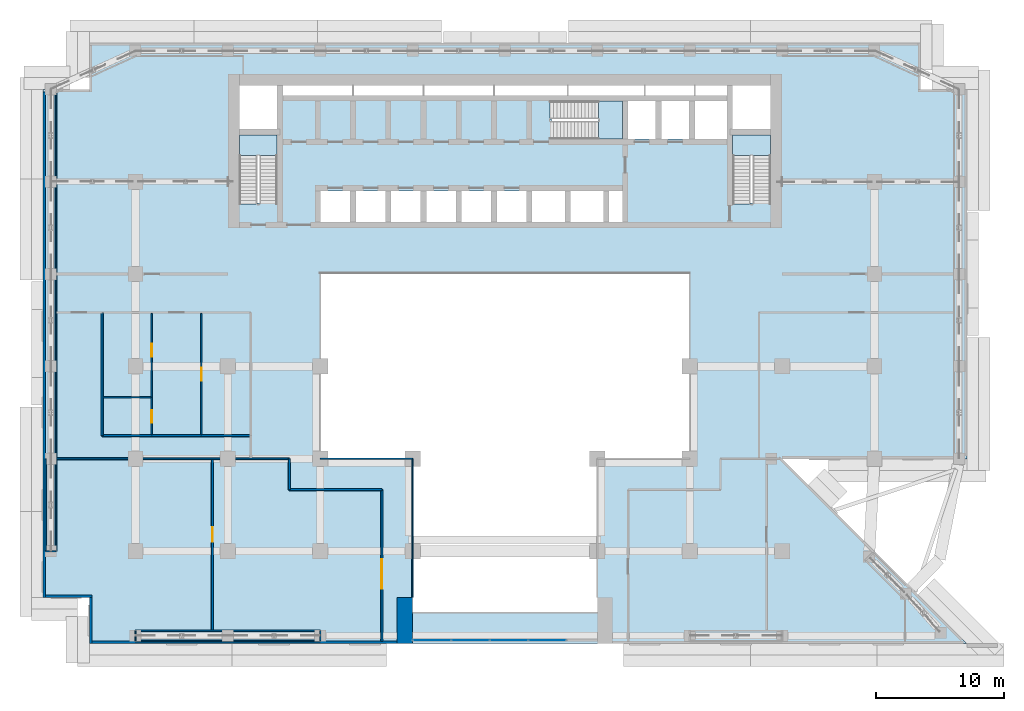
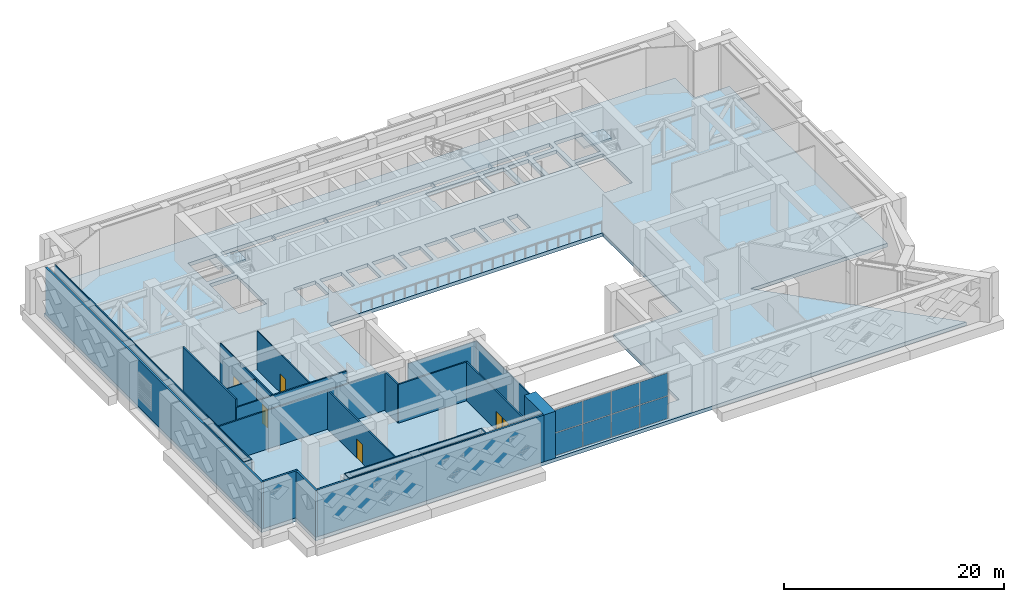
# One storey, part 8 of 19: 24 walls, 8 plates, 6 doors, 4 slabs, 6 openings, 4 elements without a shape of their own.
"""IFC4 building model written with IfcOpenShell, lengths in metres."""

from ifc_helpers import new_model, si_unit, direction, frame, frame_2d, origin, origin_2d, place, context, subcontext, project, spatial, polyline, rectangle, outline, extrude, source, transform, mapped, material, layer, layer_set, type_object, element, fill, aggregate, save


model = new_model("IFC4")

# Units and contexts
model_context = context("Model", 3, precision=1e-05, world=origin(), true_north=direction((0.0, 1.0)))
body_context = subcontext(model_context, "Body", "Model", "MODEL_VIEW")
ifc_project = project(units=[si_unit("LENGTHUNIT", "METRE"), si_unit("AREAUNIT", "SQUARE_METRE"), si_unit("VOLUMEUNIT", "CUBIC_METRE"), si_unit("PLANEANGLEUNIT", "RADIAN"), si_unit("MASSUNIT", "GRAM", prefix="KILO")], contexts=[model_context])

# Site, building, storey
site_placement = place(None, origin())
site = spatial("IfcSite", under=ifc_project, at=site_placement, CompositionType="ELEMENT")
building_placement = place(site_placement, origin())
building = spatial("IfcBuilding", under=site, at=building_placement, Name="Saffron Iwan Residences", CompositionType="ELEMENT")
storey_placement = place(building_placement, frame((0.0, 0.0, 107.5)))
storey = spatial("IfcBuildingStorey", under=building, at=storey_placement, Name="L28", CompositionType="ELEMENT", Elevation=107.5)

# Slab
ifc_material_1 = material(Name="Concrete C40/50", Category="concrete")
ifc_layer_1 = layer(ifc_material_1, 0.39990234375)
ifc_layer_set_1 = layer_set([ifc_layer_1], Name="Concrete C40/50")
slab_type_1 = type_object("IfcSlabType", Name="PT PLATE 400 C40/50", PredefinedType="FLOOR", material=ifc_layer_set_1)
slab_1_placement = place(storey_placement, frame((0.0, 0.0, -0.400146484375)))
element("IfcSlab", 1, at=slab_1_placement, inside=storey, type_object=slab_type_1, Name="Floor slab L28", PredefinedType="FLOOR", context=body_context, shape_type="SweptSolid", body=[
    extrude(outline(polyline([(14.39990234375, 37.199951171875), (14.39990234375, 76.800048828125), (18.0, 76.800048828125), (18.0, 80.39990234375), (82.800048828125, 80.39990234375), (82.800048828125, 76.800048828125), (86.39990234375, 76.800048828125), (86.39990234375, 48.0), (72.0, 48.0), (86.39990234375, 33.60009765625), (18.0, 33.60009765625), (18.0, 37.199951171875), (14.39990234375, 37.199951171875)]), holes=[polyline([(64.800048828125, 48.0), (64.800048828125, 62.39990234375), (36.0, 62.39990234375), (36.0, 48.0), (43.199951171875, 48.0), (43.199951171875, 36.0), (57.60009765625, 36.0), (57.60009765625, 48.0), (64.800048828125, 48.0)]), polyline([(38.324951171875, 68.875), (36.02490234375, 68.875), (36.02490234375, 66.449951171875), (38.324951171875, 66.449951171875), (38.324951171875, 68.875)]), polyline([(41.074951171875, 66.449951171875), (41.074951171875, 68.875), (38.77490234375, 68.875), (38.77490234375, 66.449951171875), (41.074951171875, 66.449951171875)]), polyline([(43.824951171875, 66.449951171875), (43.824951171875, 68.875), (41.52490234375, 68.875), (41.52490234375, 66.449951171875), (43.824951171875, 66.449951171875)]), polyline([(46.574951171875, 68.875), (44.27490234375, 68.875), (44.27490234375, 66.449951171875), (46.574951171875, 66.449951171875), (46.574951171875, 68.875)]), polyline([(49.324951171875, 66.449951171875), (49.324951171875, 68.875), (47.02490234375, 68.875), (47.02490234375, 66.449951171875), (49.324951171875, 66.449951171875)]), polyline([(52.074951171875, 66.449951171875), (52.074951171875, 68.875), (49.77490234375, 68.875), (49.77490234375, 66.449951171875), (52.074951171875, 66.449951171875)]), polyline([(29.699951171875, 73.25), (29.699951171875, 67.949951171875), (29.699951171875, 67.8505859375), (31.10009765625, 67.8505859375), (31.10009765625, 67.949951171875), (32.64990234375, 67.949951171875), (32.64990234375, 73.25), (29.699951171875, 73.25)]), polyline([(32.64990234375, 73.699951171875), (32.64990234375, 77.10009765625), (29.699951171875, 77.10009765625), (29.699951171875, 73.699951171875), (32.64990234375, 73.699951171875)]), polyline([(38.5, 76.324951171875), (38.5, 77.10009765625), (33.10009765625, 77.10009765625), (33.10009765625, 76.324951171875), (38.5, 76.324951171875)]), polyline([(44.0, 77.10009765625), (38.60009765625, 77.10009765625), (38.60009765625, 76.324951171875), (44.0, 76.324951171875), (44.0, 77.10009765625)]), polyline([(49.5, 76.324951171875), (49.5, 77.10009765625), (44.10009765625, 77.10009765625), (44.10009765625, 76.324951171875), (49.5, 76.324951171875)]), polyline([(55.25, 76.324951171875), (55.25, 77.10009765625), (49.60009765625, 77.10009765625), (49.60009765625, 76.324951171875), (55.25, 76.324951171875)]), polyline([(55.074951171875, 68.875), (52.52490234375, 68.875), (52.52490234375, 66.449951171875), (55.074951171875, 66.449951171875), (55.074951171875, 68.875)]), polyline([(58.074951171875, 66.449951171875), (58.074951171875, 68.875), (55.52490234375, 68.875), (55.52490234375, 66.449951171875), (58.074951171875, 66.449951171875)]), polyline([(59.550048828125, 66.449951171875), (59.550048828125, 68.875), (58.52490234375, 68.875), (58.52490234375, 66.449951171875), (59.550048828125, 66.449951171875)]), polyline([(68.14990234375, 73.25), (68.14990234375, 67.949951171875), (68.14990234375, 67.8505859375), (69.550048828125, 67.8505859375), (69.550048828125, 67.949951171875), (71.10009765625, 67.949951171875), (71.10009765625, 73.25), (68.14990234375, 73.25)]), polyline([(53.925537109375, 74.47509765625), (54.02490234375, 74.47509765625), (54.02490234375, 72.925048828125), (59.550048828125, 72.925048828125), (59.550048828125, 75.875), (54.02490234375, 75.875), (53.925537109375, 75.875), (53.925537109375, 74.47509765625)]), polyline([(62.14990234375, 72.925048828125), (62.14990234375, 75.875), (60.0, 75.875), (60.0, 72.925048828125), (62.14990234375, 72.925048828125)]), polyline([(64.75, 75.875), (62.60009765625, 75.875), (62.60009765625, 72.925048828125), (64.75, 72.925048828125), (64.75, 75.875)]), polyline([(67.699951171875, 72.925048828125), (67.699951171875, 75.875), (65.199951171875, 75.875), (65.199951171875, 72.925048828125), (67.699951171875, 72.925048828125)]), polyline([(71.10009765625, 73.699951171875), (71.10009765625, 77.10009765625), (68.14990234375, 77.10009765625), (68.14990234375, 73.699951171875), (71.10009765625, 73.699951171875)]), polyline([(61.25, 77.10009765625), (55.35009765625, 77.10009765625), (55.35009765625, 76.324951171875), (61.25, 76.324951171875), (61.25, 77.10009765625)]), polyline([(65.14990234375, 76.324951171875), (65.14990234375, 77.10009765625), (61.35009765625, 77.10009765625), (61.35009765625, 76.324951171875), (65.14990234375, 76.324951171875)]), polyline([(67.699951171875, 76.324951171875), (67.699951171875, 77.10009765625), (65.25, 77.10009765625), (65.25, 76.324951171875), (67.699951171875, 76.324951171875)])]), origin(), (0.0, 0.0, 1.0), 0.400146484375),
])

# Stair, slab
ifc_material_2 = material(Name="Concrete C50/60", Category="concrete")
stair_type = type_object("IfcStairType", Name="Stair ST-CORE", PredefinedType="HALF_TURN_STAIR", material=ifc_material_2)
stair_1_placement = place(storey_placement, origin())
stair_1 = element("IfcStair", 2, at=stair_1_placement, inside=storey, type_object=stair_type, Name="L28 Exit Stair ST-W", PredefinedType="HALF_TURN_STAIR")
ifc_layer_2 = layer(ifc_material_2, 0.199951171875)
ifc_layer_set_2 = layer_set([ifc_layer_2], Name="Concrete C50/60")
slab_type_2 = type_object("IfcSlabType", Name="Stair landing SL-RC", PredefinedType="LANDING", material=ifc_layer_set_2)
slab_2_placement = place(storey_placement, frame((0.0, 0.0, 2.5498046875)))
slab_2 = element("IfcSlab", 3, at=slab_2_placement, type_object=slab_type_2, Name="ST-W landing 1", PredefinedType="LANDING", context=body_context, shape_type="SweptSolid", body=[
    extrude(outline(polyline([(32.64990234375, 71.6298828125), (32.64990234375, 73.25), (29.699951171875, 73.25), (29.699951171875, 71.6298828125), (32.64990234375, 71.6298828125)])), origin(), (0.0, 0.0, 1.0), 0.2001953125),
])
aggregate(stair_1, [slab_2])

stair_2_placement = place(storey_placement, origin())
stair_2 = element("IfcStair", 4, at=stair_2_placement, inside=storey, type_object=stair_type, Name="L28 Exit Stair ST-C", PredefinedType="HALF_TURN_STAIR")
slab_3_placement = place(storey_placement, frame((0.0, 0.0, 2.5498046875)))
slab_3 = element("IfcSlab", 5, at=slab_3_placement, type_object=slab_type_2, Name="ST-C landing 1", PredefinedType="LANDING", context=body_context, shape_type="SweptSolid", body=[
    extrude(outline(polyline([(57.705078125, 72.925048828125), (59.550048828125, 72.925048828125), (59.550048828125, 75.875), (57.705078125, 75.875), (57.705078125, 72.925048828125)])), origin(), (0.0, 0.0, 1.0), 0.2001953125),
])
aggregate(stair_2, [slab_3])

stair_3_placement = place(storey_placement, origin())
stair_3 = element("IfcStair", 6, at=stair_3_placement, inside=storey, type_object=stair_type, Name="L28 Exit Stair ST-E", PredefinedType="HALF_TURN_STAIR")
slab_4_placement = place(storey_placement, frame((0.0, 0.0, 2.5498046875)))
slab_4 = element("IfcSlab", 7, at=slab_4_placement, type_object=slab_type_2, Name="ST-E landing 1", PredefinedType="LANDING", context=body_context, shape_type="SweptSolid", body=[
    extrude(outline(polyline([(71.10009765625, 71.6298828125), (71.10009765625, 73.25), (68.14990234375, 73.25), (68.14990234375, 71.6298828125), (71.10009765625, 71.6298828125)])), origin(), (0.0, 0.0, 1.0), 0.2001953125),
])
aggregate(stair_3, [slab_4])

# Curtain wall, plates
ifc_material_3 = material(Name="Clear glass, laminated double glazed", Category="glass")
ifc_layer_3 = layer(ifc_material_3, 0.199951171875)
ifc_layer_set_3 = layer_set([ifc_layer_3], Name="Clear glass, laminated double glazed")
curtain_wall_type = type_object("IfcCurtainWallType", Name="CW-B IWAN PORTAL", PredefinedType="NOTDEFINED", material=ifc_layer_set_3)
curtain_wall_placement = place(storey_placement, origin())
curtain_wall = element("IfcCurtainWall", 8, at=curtain_wall_placement, inside=storey, type_object=curtain_wall_type, Name="Iwan portal glazing L28.1", PredefinedType="NOTDEFINED")
ifc_layer_4 = layer(ifc_material_3, 0.028076171875)
ifc_layer_set_4 = layer_set([ifc_layer_4], Name="Clear glass, laminated double glazed")
plate_type = type_object("IfcPlateType", Name="CW-B PANEL 28", PredefinedType="CURTAIN_PANEL", material=ifc_layer_set_4)
shared_shape_1 = source(origin(), body_context, "Body", "SweptSolid", [
    extrude(rectangle(XDim=2.909912109375, YDim=0.028076171875, at=origin_2d()), origin(), (0.0, 0.0, 1.0), 2.510009765625),
])
plate_1_placement = place(storey_placement, frame((44.715087890625, 33.85009765625, 0.06005859375), z_axis=(0.0, 0.0, 1.0), x_axis=(1.0, 0.0, 0.0)))
plate_1 = element("IfcPlate", 9, at=plate_1_placement, type_object=plate_type, Name="CW-B panel 1.1", PredefinedType="CURTAIN_PANEL", context=body_context, shape_type="MappedRepresentation", body=[
    mapped(shared_shape_1, transform((0.0, 0.0, 0.0))),
])
plate_2_placement = place(storey_placement, frame((44.715087890625, 33.85009765625, 2.6298828125), z_axis=(0.0, 0.0, 1.0), x_axis=(1.0, 0.0, 0.0)))
plate_2 = element("IfcPlate", 10, at=plate_2_placement, type_object=plate_type, Name="CW-B panel 1.2", PredefinedType="CURTAIN_PANEL", context=body_context, shape_type="MappedRepresentation", body=[
    mapped(shared_shape_1, transform((0.0, 0.0, 0.0))),
])
plate_3_placement = place(storey_placement, frame((53.68505859375, 33.85009765625, 0.06005859375), z_axis=(0.0, 0.0, 1.0), x_axis=(1.0, 0.0, 0.0)))
plate_3 = element("IfcPlate", 11, at=plate_3_placement, type_object=plate_type, Name="CW-B panel 4.1", PredefinedType="CURTAIN_PANEL", context=body_context, shape_type="MappedRepresentation", body=[
    mapped(shared_shape_1, transform((0.0, 0.0, 0.0))),
])
plate_4_placement = place(storey_placement, frame((53.68505859375, 33.85009765625, 2.6298828125), z_axis=(0.0, 0.0, 1.0), x_axis=(1.0, 0.0, 0.0)))
plate_4 = element("IfcPlate", 12, at=plate_4_placement, type_object=plate_type, Name="CW-B panel 4.2", PredefinedType="CURTAIN_PANEL", context=body_context, shape_type="MappedRepresentation", body=[
    mapped(shared_shape_1, transform((0.0, 0.0, 0.0))),
])
shared_shape_2 = source(origin(), body_context, "Body", "SweptSolid", [
    extrude(rectangle(XDim=2.93994140625, YDim=0.028076171875, at=origin_2d()), origin(), (0.0, 0.0, 1.0), 2.510009765625),
])
plate_5_placement = place(storey_placement, frame((47.699951171875, 33.85009765625, 0.06005859375), z_axis=(0.0, 0.0, 1.0), x_axis=(1.0, 0.0, 0.0)))
plate_5 = element("IfcPlate", 13, at=plate_5_placement, type_object=plate_type, Name="CW-B panel 2.1", PredefinedType="CURTAIN_PANEL", context=body_context, shape_type="MappedRepresentation", body=[
    mapped(shared_shape_2, transform((0.0, 0.0, 0.0))),
])
plate_6_placement = place(storey_placement, frame((47.699951171875, 33.85009765625, 2.6298828125), z_axis=(0.0, 0.0, 1.0), x_axis=(1.0, 0.0, 0.0)))
plate_6 = element("IfcPlate", 14, at=plate_6_placement, type_object=plate_type, Name="CW-B panel 2.2", PredefinedType="CURTAIN_PANEL", context=body_context, shape_type="MappedRepresentation", body=[
    mapped(shared_shape_2, transform((0.0, 0.0, 0.0))),
])
plate_7_placement = place(storey_placement, frame((50.699951171875, 33.85009765625, 0.06005859375), z_axis=(0.0, 0.0, 1.0), x_axis=(1.0, 0.0, 0.0)))
plate_7 = element("IfcPlate", 15, at=plate_7_placement, type_object=plate_type, Name="CW-B panel 3.1", PredefinedType="CURTAIN_PANEL", context=body_context, shape_type="MappedRepresentation", body=[
    mapped(shared_shape_2, transform((0.0, 0.0, 0.0))),
])
plate_8_placement = place(storey_placement, frame((50.699951171875, 33.85009765625, 2.6298828125), z_axis=(0.0, 0.0, 1.0), x_axis=(1.0, 0.0, 0.0)))
plate_8 = element("IfcPlate", 16, at=plate_8_placement, type_object=plate_type, Name="CW-B panel 3.2", PredefinedType="CURTAIN_PANEL", context=body_context, shape_type="MappedRepresentation", body=[
    mapped(shared_shape_2, transform((0.0, 0.0, 0.0))),
])
aggregate(curtain_wall, [plate_1, plate_2, plate_5, plate_6, plate_7, plate_8, plate_3, plate_4])

# Walls
ifc_material_4 = material(Name="Concrete blockwork", Category="masonry")
ifc_layer_5 = layer(ifc_material_4, 0.14990234375)
ifc_layer_set_5 = layer_set([ifc_layer_5], Name="Concrete blockwork")
wall_type_1 = type_object("IfcWallType", Name="Blockwork partition 150", PredefinedType="PARTITIONING", material=ifc_layer_set_5)
wall_1_placement = place(storey_placement, frame((33.60009765625, 45.60009765625, 0.0), z_axis=(0.0, 0.0, 1.0), x_axis=(1.0, 0.0, 0.0)))
element("IfcWall", 17, at=wall_1_placement, inside=storey, type_object=wall_type_1, Name="W-L28-007", PredefinedType="PARTITIONING", context=body_context, shape_type="SweptSolid", body=[
    extrude(rectangle(XDim=7.199951171875, YDim=0.14990234375, at=frame_2d((3.60009765625, 0.0))), origin(), (0.0, 0.0, 1.0), 4.300048828125),
])
wall_2_placement = place(storey_placement, frame((15.449951171875, 48.0, 0.0), z_axis=(0.0, 0.0, 1.0), x_axis=(1.0, 0.0, 0.0)))
element("IfcWall", 18, at=wall_2_placement, inside=storey, type_object=wall_type_1, Name="W-L28-011", PredefinedType="PARTITIONING", context=body_context, shape_type="SweptSolid", body=[
    extrude(rectangle(XDim=18.150146484375, YDim=0.14990234375, at=frame_2d((9.0751953125, 0.0))), origin(), (0.0, 0.0, 1.0), 4.300048828125),
])
wall_3_placement = place(storey_placement, frame((19.0, 49.800048828125, 0.0), z_axis=(0.0, 0.0, 1.0), x_axis=(1.0, 0.0, 0.0)))
element("IfcWall", 19, at=wall_3_placement, inside=storey, type_object=wall_type_1, Name="W-L28-013", PredefinedType="PARTITIONING", context=body_context, shape_type="SweptSolid", body=[
    extrude(rectangle(XDim=11.60009765625, YDim=0.14990234375, at=frame_2d((5.800048828125, 0.0))), origin(), (0.0, 0.0, 1.0), 4.300048828125),
])
wall_4_placement = place(storey_placement, frame((19.0, 49.800048828125, 0.0), z_axis=(0.0, 0.0, 1.0), x_axis=(0.0, 1.0, 0.0)))
element("IfcWall", 20, at=wall_4_placement, inside=storey, type_object=wall_type_1, Name="W-L28-024", PredefinedType="PARTITIONING", context=body_context, shape_type="SweptSolid", body=[
    extrude(rectangle(XDim=9.599853515625, YDim=0.14990234375, at=frame_2d((4.7998046875, 0.0))), origin(), (0.0, 0.0, 1.0), 5.199951171875),
])

# Wall, opening, door
wall_5_placement = place(storey_placement, frame((27.60009765625, 34.64990234375, 0.0), z_axis=(0.0, 0.0, 1.0), x_axis=(0.0, 1.0, 0.0)))
wall_5 = element("IfcWall", 21, at=wall_5_placement, inside=storey, type_object=wall_type_1, Name="W-L28-028", PredefinedType="PARTITIONING", context=body_context, shape_type="SweptSolid", body=[
    extrude(rectangle(XDim=13.275146484375, YDim=0.14990234375, at=frame_2d((6.6376953125, 0.0))), origin(), (0.0, 0.0, 1.0), 4.300048828125),
])
opening_1_placement = place(wall_5_placement, frame((6.89990234375, 0.0, 0.0)))
opening_1 = element("IfcOpeningElement", 22, at=opening_1_placement, cuts=wall_5, Name="Opening L28.11", PredefinedType="OPENING", context=body_context, shape_type="SweptSolid", body=[
    extrude(rectangle(XDim=1.10009765625, YDim=2.10009765625, at=frame_2d((0.550048828125, 1.050048828125))), frame((0.0, 0.0849609375, 0.0), z_axis=(0.0, -1.0, 0.0), x_axis=(1.0, 0.0, 0.0)), (0.0, 0.0, 1.0), 0.169921875),
])
ifc_material_5 = material(Name="Steel", Category="steel")
door_type_1 = type_object("IfcDoorType", Name="Fire door 1100x2100", OperationType="NOTDEFINED", PredefinedType="DOOR", material=ifc_material_5)
door_1_placement = place(opening_1_placement, origin())
door_1 = element("IfcDoor", 23, at=door_1_placement, inside=storey, type_object=door_type_1, Name="D-L28-011", OperationType="SINGLE_SWING_RIGHT", OverallHeight=2.10009765625, OverallWidth=1.10009765625, PredefinedType="DOOR", context=body_context, shape_type="SweptSolid", body=[
    extrude(rectangle(XDim=1.10009765625, YDim=2.10009765625, at=frame_2d((0.550048828125, 1.050048828125))), frame((0.0, 0.02490234375, 0.0), z_axis=(0.0, -1.0, 0.0), x_axis=(1.0, 0.0, 0.0)), (0.0, 0.0, 1.0), 0.050048828125),
])
fill(opening_1, door_1)

# Wall
wall_6_placement = place(storey_placement, frame((33.60009765625, 45.60009765625, 0.0), z_axis=(0.0, 0.0, 1.0), x_axis=(0.0, 1.0, 0.0)))
element("IfcWall", 24, at=wall_6_placement, inside=storey, type_object=wall_type_1, Name="W-L28-032", PredefinedType="PARTITIONING", context=body_context, shape_type="SweptSolid", body=[
    extrude(rectangle(XDim=2.39990234375, YDim=0.14990234375, at=frame_2d((1.199951171875, 0.0))), origin(), (0.0, 0.0, 1.0), 4.300048828125),
])

# Wall, openings, doors
wall_7_placement = place(storey_placement, frame((40.800048828125, 33.77001953125, 0.0), z_axis=(0.0, 0.0, 1.0), x_axis=(0.0, 1.0, 0.0)))
wall_7 = element("IfcWall", 25, at=wall_7_placement, inside=storey, type_object=wall_type_1, Name="W-L28-035", PredefinedType="PARTITIONING", context=body_context, shape_type="SweptSolid", body=[
    extrude(rectangle(XDim=11.830078125, YDim=0.14990234375, at=frame_2d((5.9150390625, 0.0))), origin(), (0.0, 0.0, 1.0), 4.300048828125),
])
opening_2_placement = place(wall_7_placement, frame((5.280029296875, 0.0, 0.0)))
opening_2 = element("IfcOpeningElement", 26, at=opening_2_placement, cuts=wall_7, Name="Opening L28.04", PredefinedType="OPENING", context=body_context, shape_type="SweptSolid", body=[
    extrude(rectangle(XDim=1.10009765625, YDim=2.10009765625, at=frame_2d((0.550048828125, 1.050048828125))), frame((0.0, 0.0849609375, 0.0), z_axis=(0.0, -1.0, 0.0), x_axis=(1.0, 0.0, 0.0)), (0.0, 0.0, 1.0), 0.169921875),
])
opening_3_placement = place(wall_7_placement, frame((4.080078125, 0.0, 0.0)))
opening_3 = element("IfcOpeningElement", 27, at=opening_3_placement, cuts=wall_7, Name="Opening L28.05", PredefinedType="OPENING", context=body_context, shape_type="SweptSolid", body=[
    extrude(rectangle(XDim=1.10009765625, YDim=2.10009765625, at=frame_2d((0.550048828125, 1.050048828125))), frame((0.0, 0.0849609375, 0.0), z_axis=(0.0, -1.0, 0.0), x_axis=(1.0, 0.0, 0.0)), (0.0, 0.0, 1.0), 0.169921875),
])
door_2_placement = place(opening_2_placement, origin())
door_2 = element("IfcDoor", 28, at=door_2_placement, inside=storey, type_object=door_type_1, Name="D-L28-004", OperationType="SINGLE_SWING_LEFT", OverallHeight=2.10009765625, OverallWidth=1.10009765625, PredefinedType="DOOR", context=body_context, shape_type="SweptSolid", body=[
    extrude(rectangle(XDim=1.10009765625, YDim=2.10009765625, at=frame_2d((0.550048828125, 1.050048828125))), frame((0.0, 0.02490234375, 0.0), z_axis=(0.0, -1.0, 0.0), x_axis=(1.0, 0.0, 0.0)), (0.0, 0.0, 1.0), 0.050048828125),
])
fill(opening_2, door_2)
door_3_placement = place(opening_3_placement, origin())
door_3 = element("IfcDoor", 29, at=door_3_placement, inside=storey, type_object=door_type_1, Name="D-L28-005", OperationType="SINGLE_SWING_LEFT", OverallHeight=2.10009765625, OverallWidth=1.10009765625, PredefinedType="DOOR", context=body_context, shape_type="SweptSolid", body=[
    extrude(rectangle(XDim=1.10009765625, YDim=2.10009765625, at=frame_2d((0.550048828125, 1.050048828125))), frame((0.0, 0.02490234375, 0.0), z_axis=(0.0, -1.0, 0.0), x_axis=(1.0, 0.0, 0.0)), (0.0, 0.0, 1.0), 0.050048828125),
])
fill(opening_3, door_3)

# Walls
ifc_layer_6 = layer(ifc_material_1, 0.199951171875)
ifc_layer_set_6 = layer_set([ifc_layer_6], Name="Concrete C40/50")
wall_type_2 = type_object("IfcWallType", Name="EXTERNAL WALL 200", PredefinedType="SOLIDWALL", material=ifc_layer_set_6)
wall_8_placement = place(storey_placement, frame((14.5, 76.60009765625, 0.0), z_axis=(0.0, 0.0, 1.0), x_axis=(0.0, -1.0, 0.0)))
element("IfcWall", 30, at=wall_8_placement, inside=storey, type_object=wall_type_2, Name="External wall L28 F8.0", PredefinedType="SOLIDWALL", context=body_context, shape_type="SweptSolid", body=[
    extrude(rectangle(XDim=39.400146484375, YDim=0.199951171875, at=frame_2d((19.7001953125, 0.0))), origin(), (0.0, 0.0, 1.0), 5.199951171875),
])
for number, where, z_axis, x_axis, name in (
    (31, (14.60009765625, 37.300048828125, 0.0), (0.0, 0.0, 1.0), (1.0, 0.0, 0.0), "External wall L28 F9.0"),
    (32, (18.10009765625, 37.199951171875, 0.0), (0.0, 0.0, 1.0), (0.0, -1.0, 0.0), "External wall L28 F10.0"),
):
    element("IfcWall", number, at=place(storey_placement, frame(where, z_axis=z_axis, x_axis=x_axis)), inside=storey, type_object=wall_type_2, Name=name, PredefinedType="SOLIDWALL", context=body_context, shape_type="SweptSolid", body=[
        extrude(rectangle(XDim=3.599853515625, YDim=0.199951171875, at=frame_2d((1.7998046875, 0.0))), origin(), (0.0, 0.0, 1.0), 5.199951171875),
    ])
wall_9_placement = place(storey_placement, frame((18.199951171875, 33.699951171875, 0.0), z_axis=(0.0, 0.0, 1.0), x_axis=(1.0, 0.0, 0.0)))
element("IfcWall", 33, at=wall_9_placement, inside=storey, type_object=wall_type_2, Name="External wall L28 F11.0", PredefinedType="SOLIDWALL", context=body_context, shape_type="SweptSolid", body=[
    extrude(rectangle(XDim=23.800048828125, YDim=0.199951171875, at=frame_2d((11.89990234375, 0.0))), origin(), (0.0, 0.0, 1.0), 5.199951171875),
])
ifc_material_6 = material(Name="Glass", Category="glass")
ifc_layer_7 = layer(ifc_material_6, 0.10009765625)
ifc_layer_set_7 = layer_set([ifc_layer_7], Name="Glass")
wall_type_3 = type_object("IfcWallType", Name="Glazed screen wall 100", PredefinedType="PARTITIONING", material=ifc_layer_set_7)
for number, where, z_axis, x_axis, name in (
    (34, (21.60009765625, 33.800048828125, 0.0), (0.0, 0.0, 1.0), (1.0, 0.0, 0.0), "W-L28-001"),
    (35, (21.60009765625, 34.60009765625, 0.0), (0.0, 0.0, 1.0), (1.0, 0.0, 0.0), "W-L28-003"),
):
    element("IfcWall", number, at=place(storey_placement, frame(where, z_axis=z_axis, x_axis=x_axis)), inside=storey, type_object=wall_type_3, Name=name, PredefinedType="PARTITIONING", context=body_context, shape_type="SweptSolid", body=[
        extrude(rectangle(XDim=14.39990234375, YDim=0.10009765625, at=frame_2d((7.199951171875, 0.0))), origin(), (0.0, 0.0, 1.0), 5.199951171875),
    ])
wall_10_placement = place(storey_placement, frame((14.60009765625, 40.800048828125, 0.0), z_axis=(0.0, 0.0, 1.0), x_axis=(1.0, 0.0, 0.0)))
element("IfcWall", 36, at=wall_10_placement, inside=storey, type_object=wall_type_3, Name="W-L28-006", PredefinedType="PARTITIONING", context=body_context, shape_type="SweptSolid", body=[
    extrude(rectangle(XDim=0.7998046875, YDim=0.10009765625, at=frame_2d((0.39990234375, 0.0))), origin(), (0.0, 0.0, 1.0), 5.199951171875),
])
wall_11_placement = place(storey_placement, frame((36.0, 48.0, 0.0), z_axis=(0.0, 0.0, 1.0), x_axis=(1.0, 0.0, 0.0)))
element("IfcWall", 37, at=wall_11_placement, inside=storey, type_object=wall_type_3, Name="W-L28-009", PredefinedType="PARTITIONING", context=body_context, shape_type="SweptSolid", body=[
    extrude(rectangle(XDim=7.199951171875, YDim=0.10009765625, at=frame_2d((3.60009765625, 0.0))), origin(), (0.0, 0.0, 1.0), 4.300048828125),
])
wall_12_placement = place(storey_placement, frame((14.60009765625, 40.800048828125, 0.0), z_axis=(0.0, 0.0, 1.0), x_axis=(0.0, 1.0, 0.0)))
element("IfcWall", 38, at=wall_12_placement, inside=storey, type_object=wall_type_3, Name="W-L28-022", PredefinedType="PARTITIONING", context=body_context, shape_type="SweptSolid", body=[
    extrude(rectangle(XDim=7.199951171875, YDim=0.10009765625, at=frame_2d((3.60009765625, 0.0))), origin(), (0.0, 0.0, 1.0), 5.199951171875),
])
wall_13_placement = place(storey_placement, frame((15.39990234375, 40.800048828125, 0.0), z_axis=(0.0, 0.0, 1.0), x_axis=(0.0, 1.0, 0.0)))
element("IfcWall", 39, at=wall_13_placement, inside=storey, type_object=wall_type_3, Name="W-L28-023", PredefinedType="PARTITIONING", context=body_context, shape_type="SweptSolid", body=[
    extrude(rectangle(XDim=35.741943359375, YDim=0.10009765625, at=frame_2d((17.87109375, 0.0))), origin(), (0.0, 0.0, 1.0), 5.199951171875),
])
for number, where, z_axis, x_axis, name in (
    (40, (21.60009765625, 33.800048828125, 0.0), (0.0, 0.0, 1.0), (0.0, 1.0, 0.0), "W-L28-025"),
    (41, (36.0, 33.800048828125, 0.0), (0.0, 0.0, 1.0), (0.0, 1.0, 0.0), "W-L28-033"),
):
    element("IfcWall", number, at=place(storey_placement, frame(where, z_axis=z_axis, x_axis=x_axis)), inside=storey, type_object=wall_type_3, Name=name, PredefinedType="PARTITIONING", context=body_context, shape_type="SweptSolid", body=[
        extrude(rectangle(XDim=0.800048828125, YDim=0.10009765625, at=frame_2d((0.39990234375, 0.0))), origin(), (0.0, 0.0, 1.0), 5.199951171875),
    ])
wall_14_placement = place(storey_placement, frame((43.199951171875, 37.201904296875, 0.0), z_axis=(0.0, 0.0, 1.0), x_axis=(0.0, 1.0, 0.0)))
element("IfcWall", 42, at=wall_14_placement, inside=storey, type_object=wall_type_3, Name="W-L28-036", PredefinedType="PARTITIONING", context=body_context, shape_type="SweptSolid", body=[
    extrude(rectangle(XDim=10.798095703125, YDim=0.10009765625, at=frame_2d((5.39892578125, 0.0))), origin(), (0.0, 0.0, 1.0), 4.300048828125),
])
ifc_material_7 = material(Name="Plasterboard")
ifc_layer_8 = layer(ifc_material_7, 0.10009765625)
ifc_layer_set_8 = layer_set([ifc_layer_8], Name="Plasterboard")
wall_type_4 = type_object("IfcWallType", Name="Plasterboard partition 100", PredefinedType="PARTITIONING", material=ifc_layer_set_8)
wall_15_placement = place(storey_placement, frame((19.074951171875, 52.800048828125, 0.0), z_axis=(0.0, 0.0, 1.0), x_axis=(1.0, 0.0, 0.0)))
element("IfcWall", 43, at=wall_15_placement, inside=storey, type_object=wall_type_4, Name="W-L28-014", PredefinedType="PARTITIONING", context=body_context, shape_type="SweptSolid", body=[
    extrude(rectangle(XDim=3.741943359375, YDim=0.10009765625, at=frame_2d((1.87109375, 0.0))), origin(), (0.0, 0.0, 1.0), 4.300048828125),
])

# Wall, openings, doors
wall_16_placement = place(storey_placement, frame((22.866943359375, 49.875, 0.0), z_axis=(0.0, 0.0, 1.0), x_axis=(0.0, 1.0, 0.0)))
wall_16 = element("IfcWall", 44, at=wall_16_placement, inside=storey, type_object=wall_type_4, Name="W-L28-026", PredefinedType="PARTITIONING", context=body_context, shape_type="SweptSolid", body=[
    extrude(rectangle(XDim=9.449951171875, YDim=0.10009765625, at=frame_2d((4.72509765625, 0.0))), origin(), (0.0, 0.0, 1.0), 4.300048828125),
])
opening_4_placement = place(wall_16_placement, frame((6.074951171875, 0.0, 0.0)))
opening_4 = element("IfcOpeningElement", 45, at=opening_4_placement, cuts=wall_16, Name="Opening L28.01", PredefinedType="OPENING", context=body_context, shape_type="SweptSolid", body=[
    extrude(rectangle(XDim=1.0, YDim=2.10009765625, at=frame_2d((0.5, 1.050048828125))), frame((0.0, 0.06005859375, 0.0), z_axis=(0.0, -1.0, 0.0), x_axis=(1.0, 0.0, 0.0)), (0.0, 0.0, 1.0), 0.1201171875),
])
opening_5_placement = place(wall_16_placement, frame((0.925048828125, 0.0, 0.0)))
opening_5 = element("IfcOpeningElement", 46, at=opening_5_placement, cuts=wall_16, Name="Opening L28.02", PredefinedType="OPENING", context=body_context, shape_type="SweptSolid", body=[
    extrude(rectangle(XDim=1.0, YDim=2.10009765625, at=frame_2d((0.5, 1.050048828125))), frame((0.0, 0.06005859375, 0.0), z_axis=(0.0, -1.0, 0.0), x_axis=(1.0, 0.0, 0.0)), (0.0, 0.0, 1.0), 0.1201171875),
])
ifc_material_8 = material(Name="Timber", Category="wood")
door_type_2 = type_object("IfcDoorType", Name="Door 1000x2100", OperationType="NOTDEFINED", PredefinedType="DOOR", material=ifc_material_8)
door_4_placement = place(opening_4_placement, origin())
door_4 = element("IfcDoor", 47, at=door_4_placement, inside=storey, type_object=door_type_2, Name="D-L28-001", OperationType="SINGLE_SWING_RIGHT", OverallHeight=2.10009765625, OverallWidth=1.0, PredefinedType="DOOR", context=body_context, shape_type="SweptSolid", body=[
    extrude(rectangle(XDim=1.0, YDim=2.10009765625, at=frame_2d((0.5, 1.050048828125))), frame((0.0, 0.02490234375, 0.0), z_axis=(0.0, -1.0, 0.0), x_axis=(1.0, 0.0, 0.0)), (0.0, 0.0, 1.0), 0.050048828125),
])
fill(opening_4, door_4)
door_5_placement = place(opening_5_placement, origin())
door_5 = element("IfcDoor", 48, at=door_5_placement, inside=storey, type_object=door_type_2, Name="D-L28-002", OperationType="SINGLE_SWING_LEFT", OverallHeight=2.10009765625, OverallWidth=1.0, PredefinedType="DOOR", context=body_context, shape_type="SweptSolid", body=[
    extrude(rectangle(XDim=1.0, YDim=2.10009765625, at=frame_2d((0.5, 1.050048828125))), frame((0.0, 0.02490234375, 0.0), z_axis=(0.0, -1.0, 0.0), x_axis=(1.0, 0.0, 0.0)), (0.0, 0.0, 1.0), 0.050048828125),
])
fill(opening_5, door_5)

# Wall, opening, door
wall_17_placement = place(storey_placement, frame((26.73291015625, 49.875, 0.0), z_axis=(0.0, 0.0, 1.0), x_axis=(0.0, 1.0, 0.0)))
wall_17 = element("IfcWall", 49, at=wall_17_placement, inside=storey, type_object=wall_type_4, Name="W-L28-027", PredefinedType="PARTITIONING", context=body_context, shape_type="SweptSolid", body=[
    extrude(rectangle(XDim=9.449951171875, YDim=0.10009765625, at=frame_2d((4.72509765625, 0.0))), origin(), (0.0, 0.0, 1.0), 4.300048828125),
])
opening_6_placement = place(wall_17_placement, frame((4.22509765625, 0.0, 0.0)))
opening_6 = element("IfcOpeningElement", 50, at=opening_6_placement, cuts=wall_17, Name="Opening L28.03", PredefinedType="OPENING", context=body_context, shape_type="SweptSolid", body=[
    extrude(rectangle(XDim=1.0, YDim=2.10009765625, at=frame_2d((0.5, 1.050048828125))), frame((0.0, 0.06005859375, 0.0), z_axis=(0.0, -1.0, 0.0), x_axis=(1.0, 0.0, 0.0)), (0.0, 0.0, 1.0), 0.1201171875),
])
door_6_placement = place(opening_6_placement, origin())
door_6 = element("IfcDoor", 51, at=door_6_placement, inside=storey, type_object=door_type_2, Name="D-L28-003", OperationType="SINGLE_SWING_LEFT", OverallHeight=2.10009765625, OverallWidth=1.0, PredefinedType="DOOR", context=body_context, shape_type="SweptSolid", body=[
    extrude(rectangle(XDim=1.0, YDim=2.10009765625, at=frame_2d((0.5, 1.050048828125))), frame((0.0, 0.02490234375, 0.0), z_axis=(0.0, -1.0, 0.0), x_axis=(1.0, 0.0, 0.0)), (0.0, 0.0, 1.0), 0.050048828125),
])
fill(opening_6, door_6)

# Wall
ifc_material_9 = material(Name="Concrete C60/75", Category="concrete")
ifc_layer_9 = layer(ifc_material_9, 1.199951171875)
ifc_layer_set_9 = layer_set([ifc_layer_9], Name="Concrete C60/75")
wall_type_5 = type_object("IfcWallType", Name="WALL IWAN PIER 1200 C60/75 5200 HIGH", PredefinedType="SHEAR", material=ifc_layer_set_9)
wall_18_placement = place(storey_placement, frame((42.60009765625, 33.60009765625, 0.0), z_axis=(0.0, 0.0, 1.0), x_axis=(0.0, 1.0, 0.0)))
element("IfcWall", 52, at=wall_18_placement, inside=storey, type_object=wall_type_5, Name="IWAN PIER", PredefinedType="SHEAR", context=body_context, shape_type="SweptSolid", body=[
    extrude(rectangle(XDim=3.599853515625, YDim=1.199951171875, at=frame_2d((1.7998046875, 0.0))), origin(), (0.0, 0.0, 1.0), 5.199951171875),
])

save(model, "model.ifc")
